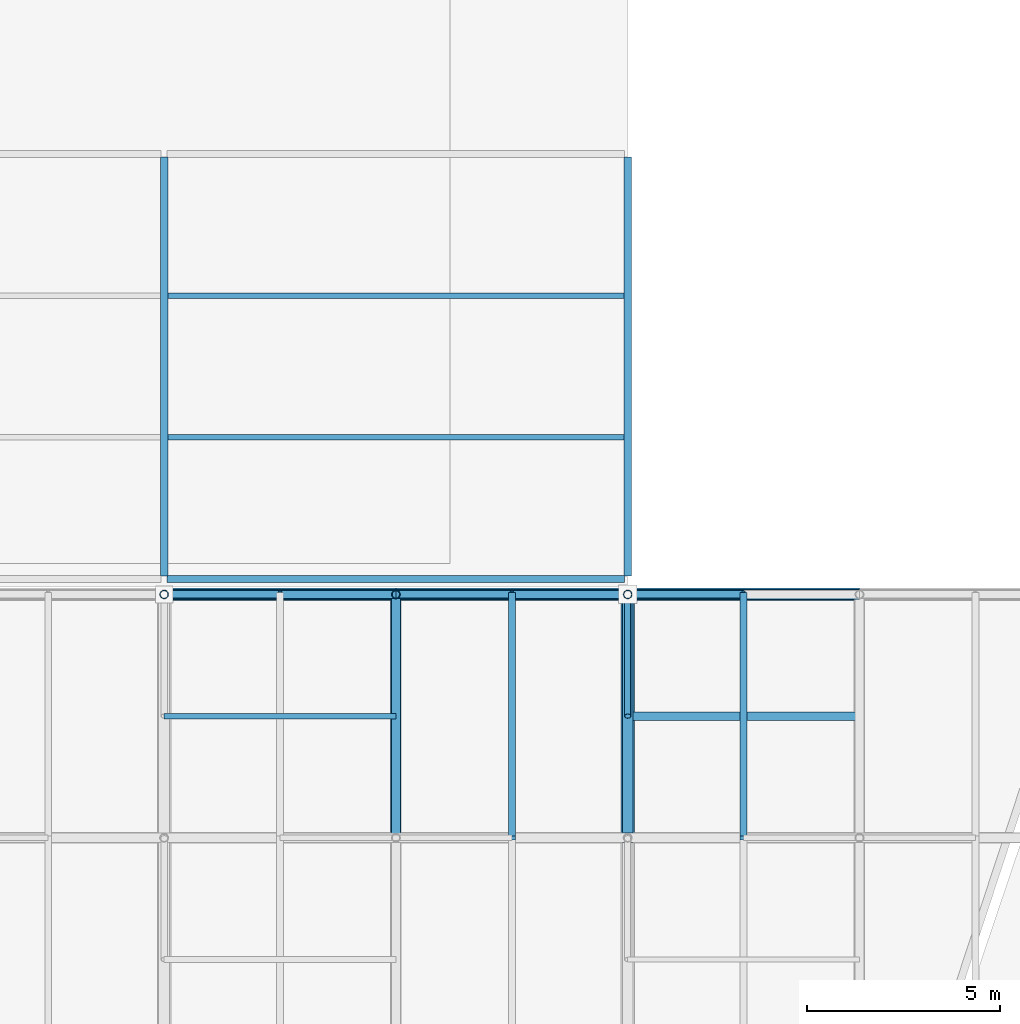
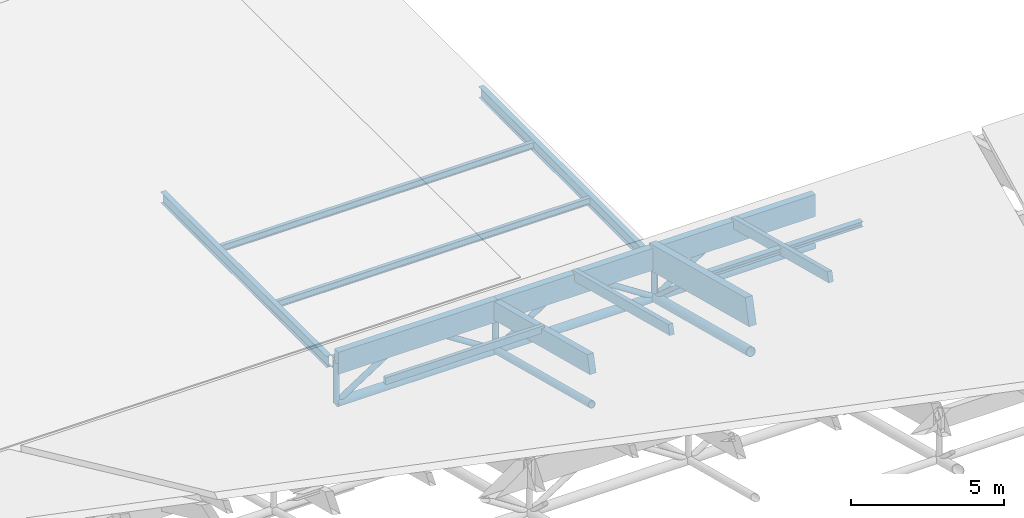
# One storey, part 58 of 80: 23 members, 5 beams.
"""IFC4 building model written with IfcOpenShell, lengths in metres."""

from ifc_helpers import new_model, si_unit, direction, frame, origin, origin_2d, place, context, subcontext, project, spatial, rectangle, hollow_circle, i_section, extrude, material, material_profile, profile_set, type_object, element, save


model = new_model("IFC4")

# Units and contexts
model_context = context("Model", 3, precision=1e-05, world=origin(), true_north=direction((0.0, 1.0)))
body_context = subcontext(model_context, "Body", "Model", "MODEL_VIEW")
ifc_project = project(units=[si_unit("LENGTHUNIT", "METRE"), si_unit("AREAUNIT", "SQUARE_METRE"), si_unit("VOLUMEUNIT", "CUBIC_METRE"), si_unit("PLANEANGLEUNIT", "RADIAN"), si_unit("MASSUNIT", "GRAM", prefix="KILO"), si_unit("THERMODYNAMICTEMPERATUREUNIT", "KELVIN"), si_unit("POWERUNIT", "WATT")], contexts=[model_context])

# Site, building, storey
site_placement = place(None, origin())
site = spatial("IfcSite", under=ifc_project, at=site_placement, CompositionType="ELEMENT")
building_placement = place(site_placement, origin())
building = spatial("IfcBuilding", under=site, at=building_placement, Name="Solmara Park Aquatics Centre", CompositionType="ELEMENT")
storey_placement = place(building_placement, frame((0.0, 0.0, 22.800048828125)))
storey = spatial("IfcBuildingStorey", under=building, at=storey_placement, Name="RF", CompositionType="ELEMENT", Elevation=22.800048828125)

# Beams
ifc_material_1 = material(Name="Structural Steel S355", Category="steel")
ifc_material_profile_1 = material_profile(ifc_material_1, i_section(OverallWidth=0.18994140625, OverallDepth=0.449951171875, WebThickness=0.009521484375, FlangeThickness=0.0146484375, FilletRadius=0.02099609375, at=origin_2d()), Name="IPE 450")
ifc_profile_set_1 = profile_set([ifc_material_profile_1], Name="Structural Steel S355")
beam_type_1 = type_object("IfcBeamType", Name="STR-BM-IPE450", PredefinedType="BEAM", material=ifc_profile_set_1)
beam_placement = place(storey_placement, frame((48.679931640625, 85.60009765625, -13.06494140625), z_axis=(1.0, 0.0, 0.0), x_axis=(0.0, 1.0, 0.0)))
element("IfcBeam", 1, at=beam_placement, inside=storey, type_object=beam_type_1, Name="Girder BM-RF-0552", PredefinedType="BEAM", context=body_context, shape_type="SweptSolid", body=[
    extrude(i_section(OverallWidth=0.18994140625, OverallDepth=0.449951171875, WebThickness=0.009521484375, FlangeThickness=0.0146484375, FilletRadius=0.02099609375, at=origin_2d()), origin(), (0.0, 0.0, 1.0), 11.840087890625),
])
for number, where, z_axis, x_axis, name in (
    (2, (48.60009765625, 85.679931640625, -13.06494140625), (0.0, 1.0, 0.0), (-1.0, 0.0, 0.0), "Girder BM-RF-0560"),
    (3, (60.60009765625, 85.679931640625, -13.06494140625), (0.0, 1.0, 0.0), (-1.0, 0.0, 0.0), "Girder BM-RF-0561"),
):
    element("IfcBeam", number, at=place(storey_placement, frame(where, z_axis=z_axis, x_axis=x_axis)), inside=storey, type_object=beam_type_1, Name=name, PredefinedType="BEAM", context=body_context, shape_type="SweptSolid", body=[
        extrude(i_section(OverallWidth=0.18994140625, OverallDepth=0.449951171875, WebThickness=0.009521484375, FlangeThickness=0.0146484375, FilletRadius=0.02099609375, at=origin_2d()), origin(), (0.0, 0.0, 1.0), 10.840087890625),
    ])

# Members
ifc_material_profile_2 = material_profile(ifc_material_1, hollow_circle(Radius=0.084228515625, WallThickness=0.008056640625, at=origin_2d()), Name="CHS 168.3x8")
ifc_profile_set_2 = profile_set([ifc_material_profile_2], Name="Structural Steel S355")
member_type_1 = type_object("IfcMemberType", Name="STR-BRC-CHS168", PredefinedType="BRACE", material=ifc_profile_set_2)
member_1_placement = place(storey_placement, frame((60.60009765625, 85.199951171875, -14.400146484375), z_axis=(0.0, -0.748026356938, 0.663669020917), x_axis=(1.0, 0.0, 0.0)))
element("IfcMember", 4, at=member_1_placement, inside=storey, type_object=member_type_1, Name="Roof Truss Web Diagonal Y 2167", PredefinedType="BRACE", context=body_context, shape_type="SweptSolid", body=[
    extrude(hollow_circle(Radius=0.084228515625, WallThickness=0.008056640625, at=origin_2d()), origin(), (0.0, 0.0, 1.0), 4.2109375),
])
ifc_material_profile_3 = material_profile(ifc_material_1, hollow_circle(Radius=0.109619140625, WallThickness=0.010009765625, at=origin_2d()), Name="CHS 219.1x10")
ifc_profile_set_3 = profile_set([ifc_material_profile_3], Name="Structural Steel S355")
member_type_2 = type_object("IfcMemberType", Name="STR-BRC-CHS219", PredefinedType="BRACE", material=ifc_profile_set_3)
for number, where, z_axis, x_axis, name in (
    (5, (48.60009765625, 85.199951171875, -14.400146484375), (0.839696636896, 0.0, 0.543055759555), (0.0, 1.0, 0.0), "Roof Truss Web Diagonal X 1591"),
    (6, (54.60009765625, 85.199951171875, -14.400146484375), (-0.839696636896, 0.0, 0.543055759555), (0.0, -1.0, 0.0), "Roof Truss Web Diagonal X 1592"),
    (7, (54.60009765625, 85.199951171875, -14.400146484375), (0.839696636896, 0.0, 0.543055759555), (0.0, 1.0, 0.0), "Roof Truss Web Diagonal X 1621"),
    (8, (60.60009765625, 85.199951171875, -14.400146484375), (-0.839696636896, 0.0, 0.543055759555), (0.0, -1.0, 0.0), "Roof Truss Web Diagonal X 1622"),
    (9, (60.60009765625, 85.199951171875, -14.400146484375), (0.839696636896, 0.0, 0.543055759555), (0.0, 1.0, 0.0), "Roof Truss Web Diagonal X 1651"),
):
    element("IfcMember", number, at=place(storey_placement, frame(where, z_axis=z_axis, x_axis=x_axis)), inside=storey, type_object=member_type_2, Name=name, PredefinedType="BRACE", context=body_context, shape_type="SweptSolid", body=[
        extrude(hollow_circle(Radius=0.109619140625, WallThickness=0.010009765625, at=origin_2d()), origin(), (0.0, 0.0, 1.0), 3.57275390625),
    ])
ifc_material_profile_4 = material_profile(ifc_material_1, hollow_circle(Radius=0.136474609375, WallThickness=0.012451171875, at=origin_2d()), Name="CHS 273x12.5")
ifc_profile_set_4 = profile_set([ifc_material_profile_4], Name="Structural Steel S355")
member_type_3 = type_object("IfcMemberType", Name="STR-CHD-CHS273", PredefinedType="CHORD", material=ifc_profile_set_4)
member_2_placement = place(storey_placement, frame((54.60009765625, 78.89990234375, -12.770751953125), z_axis=(0.0, 0.968144245908, -0.25039312913), x_axis=(-1.0, 0.0, 0.0)))
element("IfcMember", 10, at=member_2_placement, inside=storey, type_object=member_type_3, Name="Steel Roof Truss Bottom Chord Y 0820", PredefinedType="CHORD", context=body_context, shape_type="SweptSolid", body=[
    extrude(hollow_circle(Radius=0.136474609375, WallThickness=0.012451171875, at=origin_2d()), origin(), (0.0, 0.0, 1.0), 6.50732421875),
])
ifc_material_profile_5 = material_profile(ifc_material_1, hollow_circle(Radius=0.161865234375, WallThickness=0.01611328125, at=origin_2d()), Name="CHS 323.9x16")
ifc_profile_set_5 = profile_set([ifc_material_profile_5], Name="Structural Steel S355")
member_type_4 = type_object("IfcMemberType", Name="STR-CHD-CHS323", PredefinedType="CHORD", material=ifc_profile_set_5)
for number, where, z_axis, x_axis, name in (
    (11, (48.60009765625, 85.199951171875, -14.400146484375), (1.0, 0.0, 0.0), (0.0, 1.0, 0.0), "Steel Roof Truss Bottom Chord X 0522"),
    (12, (54.60009765625, 85.199951171875, -14.400146484375), (1.0, 0.0, 0.0), (0.0, 1.0, 0.0), "Steel Roof Truss Bottom Chord X 0524"),
    (13, (60.60009765625, 85.199951171875, -14.400146484375), (1.0, 0.0, 0.0), (0.0, 1.0, 0.0), "Steel Roof Truss Bottom Chord X 0526"),
):
    element("IfcMember", number, at=place(storey_placement, frame(where, z_axis=z_axis, x_axis=x_axis)), inside=storey, type_object=member_type_4, Name=name, PredefinedType="CHORD", context=body_context, shape_type="SweptSolid", body=[
        extrude(hollow_circle(Radius=0.161865234375, WallThickness=0.01611328125, at=origin_2d()), origin(), (0.0, 0.0, 1.0), 6.0),
    ])
ifc_material_profile_6 = material_profile(ifc_material_1, hollow_circle(Radius=0.177734375, WallThickness=0.01611328125, at=origin_2d()), Name="CHS 355.6x16")
ifc_profile_set_6 = profile_set([ifc_material_profile_6], Name="Structural Steel S355")
member_type_5 = type_object("IfcMemberType", Name="STR-CHD-CHS355", PredefinedType="CHORD", material=ifc_profile_set_6)
member_3_placement = place(storey_placement, frame((60.60009765625, 78.89990234375, -12.770751953125), z_axis=(0.0, 0.968144245908, -0.25039312913), x_axis=(-1.0, 0.0, 0.0)))
element("IfcMember", 14, at=member_3_placement, inside=storey, type_object=member_type_5, Name="Steel Roof Truss Bottom Chord Y 0848", PredefinedType="CHORD", context=body_context, shape_type="SweptSolid", body=[
    extrude(hollow_circle(Radius=0.177734375, WallThickness=0.01611328125, at=origin_2d()), origin(), (0.0, 0.0, 1.0), 6.50732421875),
])
ifc_material_2 = material(Name="Glulam Timber GL28h", Category="wood")
ifc_material_profile_7 = material_profile(ifc_material_2, rectangle(XDim=0.239990234375, YDim=0.719970703125, at=origin_2d()), Name="GL28h 240x720")
ifc_profile_set_7 = profile_set([ifc_material_profile_7], Name="Glulam Timber GL28h")
member_type_6 = type_object("IfcMemberType", Name="STR-CHD-GL240x720", PredefinedType="CHORD", material=ifc_profile_set_7)
member_4_placement = place(storey_placement, frame((54.60009765625, 78.89990234375, -11.150634765625), z_axis=(0.0, 0.968144245908, -0.25039312913), x_axis=(-1.0, 0.0, 0.0)))
element("IfcMember", 15, at=member_4_placement, inside=storey, type_object=member_type_6, Name="Glulam Roof Truss Top Chord Y 0819", PredefinedType="CHORD", context=body_context, shape_type="SweptSolid", body=[
    extrude(rectangle(XDim=0.239990234375, YDim=0.719970703125, at=origin_2d()), origin(), (0.0, 0.0, 1.0), 6.50732421875),
])
ifc_material_profile_8 = material_profile(ifc_material_2, rectangle(XDim=0.260009765625, YDim=0.8798828125, at=origin_2d()), Name="GL28h 260x880")
ifc_profile_set_8 = profile_set([ifc_material_profile_8], Name="Glulam Timber GL28h")
member_type_7 = type_object("IfcMemberType", Name="STR-CHD-GL260x880", PredefinedType="CHORD", material=ifc_profile_set_8)
for number, where, z_axis, x_axis, name in (
    (16, (48.60009765625, 85.199951171875, -12.780029296875), (1.0, 0.0, 0.0), (0.0, 1.0, 0.0), "Glulam Roof Truss Top Chord X 0521"),
    (17, (54.60009765625, 85.199951171875, -12.780029296875), (1.0, 0.0, 0.0), (0.0, 1.0, 0.0), "Glulam Roof Truss Top Chord X 0523"),
    (18, (60.60009765625, 85.199951171875, -12.780029296875), (1.0, 0.0, 0.0), (0.0, 1.0, 0.0), "Glulam Roof Truss Top Chord X 0525"),
):
    element("IfcMember", number, at=place(storey_placement, frame(where, z_axis=z_axis, x_axis=x_axis)), inside=storey, type_object=member_type_7, Name=name, PredefinedType="CHORD", context=body_context, shape_type="SweptSolid", body=[
        extrude(rectangle(XDim=0.260009765625, YDim=0.8798828125, at=origin_2d()), origin(), (0.0, 0.0, 1.0), 6.0),
    ])
ifc_material_profile_9 = material_profile(ifc_material_2, rectangle(XDim=0.280029296875, YDim=1.0400390625, at=origin_2d()), Name="GL28h 280x1040")
ifc_profile_set_9 = profile_set([ifc_material_profile_9], Name="Glulam Timber GL28h")
member_type_8 = type_object("IfcMemberType", Name="STR-CHD-GL280x1040", PredefinedType="CHORD", material=ifc_profile_set_9)
member_5_placement = place(storey_placement, frame((60.60009765625, 78.89990234375, -11.150634765625), z_axis=(0.0, 0.968144245908, -0.25039312913), x_axis=(-1.0, 0.0, 0.0)))
element("IfcMember", 19, at=member_5_placement, inside=storey, type_object=member_type_8, Name="Glulam Roof Truss Top Chord Y 0847", PredefinedType="CHORD", context=body_context, shape_type="SweptSolid", body=[
    extrude(rectangle(XDim=0.280029296875, YDim=1.0400390625, at=origin_2d()), origin(), (0.0, 0.0, 1.0), 6.50732421875),
])

# Beams
ifc_material_profile_10 = material_profile(ifc_material_1, i_section(OverallWidth=0.135009765625, OverallDepth=0.27001953125, WebThickness=0.006591796875, FlangeThickness=0.01025390625, FilletRadius=0.014892578125, at=origin_2d()), Name="IPE 270")
ifc_profile_set_10 = profile_set([ifc_material_profile_10], Name="Structural Steel S355")
beam_type_2 = type_object("IfcBeamType", Name="STR-JST-IPE270", PredefinedType="JOIST", material=ifc_profile_set_10)
for number, where, z_axis, x_axis, name in (
    (20, (48.695068359375, 89.2666015625, -12.97509765625), (1.0, 0.0, 0.0), (0.0, 1.0, 0.0), "Floor Joist JST-RF-0312"),
    (21, (48.695068359375, 92.933349609375, -12.97509765625), (1.0, 0.0, 0.0), (0.0, 1.0, 0.0), "Floor Joist JST-RF-0313"),
):
    element("IfcBeam", number, at=place(storey_placement, frame(where, z_axis=z_axis, x_axis=x_axis)), inside=storey, type_object=beam_type_2, Name=name, PredefinedType="JOIST", context=body_context, shape_type="SweptSolid", body=[
        extrude(i_section(OverallWidth=0.135009765625, OverallDepth=0.27001953125, WebThickness=0.006591796875, FlangeThickness=0.01025390625, FilletRadius=0.014892578125, at=origin_2d()), origin(), (0.0, 0.0, 1.0), 11.809814453125),
    ])

# Members
ifc_material_profile_11 = material_profile(ifc_material_2, rectangle(XDim=0.139892578125, YDim=0.280029296875, at=origin_2d()), Name="GL28h 140x280")
ifc_profile_set_11 = profile_set([ifc_material_profile_11], Name="Glulam Timber GL28h")
member_type_9 = type_object("IfcMemberType", Name="STR-PRL-GL140x280", PredefinedType="PURLIN", material=ifc_profile_set_11)
member_6_placement = place(storey_placement, frame((48.60009765625, 82.050048828125, -11.62548828125), z_axis=(1.0, 0.0, 0.0), x_axis=(0.0, 1.0, 0.0)))
element("IfcMember", 22, at=member_6_placement, inside=storey, type_object=member_type_9, Name="Glulam Secondary Roof Purlin 2156", PredefinedType="PURLIN", context=body_context, shape_type="SweptSolid", body=[
    extrude(rectangle(XDim=0.139892578125, YDim=0.280029296875, at=origin_2d()), origin(), (0.0, 0.0, 1.0), 6.0),
])
ifc_material_profile_12 = material_profile(ifc_material_2, rectangle(XDim=0.179931640625, YDim=0.39990234375, at=origin_2d()), Name="GL28h 180x400")
ifc_profile_set_12 = profile_set([ifc_material_profile_12], Name="Glulam Timber GL28h")
member_type_10 = type_object("IfcMemberType", Name="STR-PRL-GL180x400", PredefinedType="PURLIN", material=ifc_profile_set_12)
for number, where, z_axis, x_axis, name in (
    (23, (57.60009765625, 78.89990234375, -10.830810546875), (0.0, 0.96815334027, -0.250357963171), (-1.0, 0.0, 0.0), "Glulam Roof Purlin 1606"),
    (24, (63.60009765625, 78.89990234375, -10.830810546875), (0.0, 0.96815334027, -0.250357963171), (-1.0, 0.0, 0.0), "Glulam Roof Purlin 1636"),
):
    element("IfcMember", number, at=place(storey_placement, frame(where, z_axis=z_axis, x_axis=x_axis)), inside=storey, type_object=member_type_10, Name=name, PredefinedType="PURLIN", context=body_context, shape_type="SweptSolid", body=[
        extrude(rectangle(XDim=0.179931640625, YDim=0.39990234375, at=origin_2d()), origin(), (0.0, 0.0, 1.0), 6.50732421875),
    ])
ifc_material_profile_13 = material_profile(ifc_material_1, i_section(OverallWidth=0.219970703125, OverallDepth=0.2099609375, WebThickness=0.007080078125, FlangeThickness=0.010986328125, FilletRadius=0.01806640625, at=origin_2d()), Name="HEA 220")
ifc_profile_set_13 = profile_set([ifc_material_profile_13], Name="Structural Steel S355")
member_type_11 = type_object("IfcMemberType", Name="STR-PRL-HEA220", PredefinedType="PURLIN", material=ifc_profile_set_13)
member_7_placement = place(storey_placement, frame((60.60009765625, 82.050048828125, -11.62548828125), z_axis=(1.0, 0.0, 0.0), x_axis=(0.0, 1.0, 0.0)))
element("IfcMember", 25, at=member_7_placement, inside=storey, type_object=member_type_11, Name="Glulam Secondary Roof Purlin 2157", PredefinedType="PURLIN", context=body_context, shape_type="SweptSolid", body=[
    extrude(i_section(OverallWidth=0.219970703125, OverallDepth=0.2099609375, WebThickness=0.007080078125, FlangeThickness=0.010986328125, FilletRadius=0.01806640625, at=origin_2d()), origin(), (0.0, 0.0, 1.0), 6.0),
])
ifc_material_profile_14 = material_profile(ifc_material_1, hollow_circle(Radius=0.109619140625, WallThickness=0.010009765625, at=origin_2d()), Name="CHS 219.1x10")
ifc_profile_set_14 = profile_set([ifc_material_profile_14], Name="Structural Steel S355")
member_type_12 = type_object("IfcMemberType", Name="STR-PST-CHS219", PredefinedType="POST", material=ifc_profile_set_14)
for number, where, z_axis, x_axis, name in (
    (26, (48.60009765625, 85.199951171875, -14.400146484375), (0.0, 0.0, 1.0), (1.0, 0.0, 0.0), "Roof Truss Web Post 1200"),
    (27, (54.60009765625, 85.199951171875, -14.400146484375), (0.0, 0.0, 1.0), (1.0, 0.0, 0.0), "Roof Truss Web Post 1215"),
    (28, (60.60009765625, 85.199951171875, -14.400146484375), (0.0, 0.0, 1.0), (1.0, 0.0, 0.0), "Roof Truss Web Post 1230"),
):
    element("IfcMember", number, at=place(storey_placement, frame(where, z_axis=z_axis, x_axis=x_axis)), inside=storey, type_object=member_type_12, Name=name, PredefinedType="POST", context=body_context, shape_type="SweptSolid", body=[
        extrude(hollow_circle(Radius=0.109619140625, WallThickness=0.010009765625, at=origin_2d()), origin(), (0.0, 0.0, 1.0), 1.6201171875),
    ])

save(model, "model.ifc")
